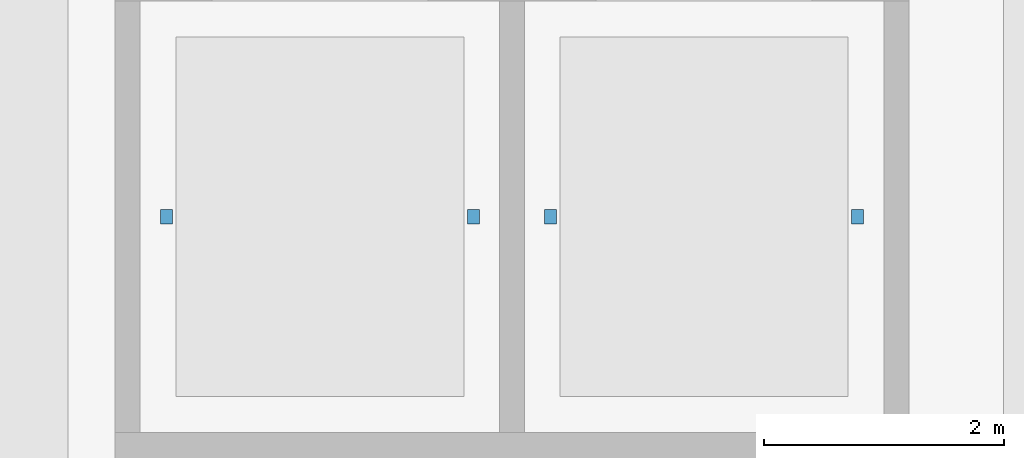
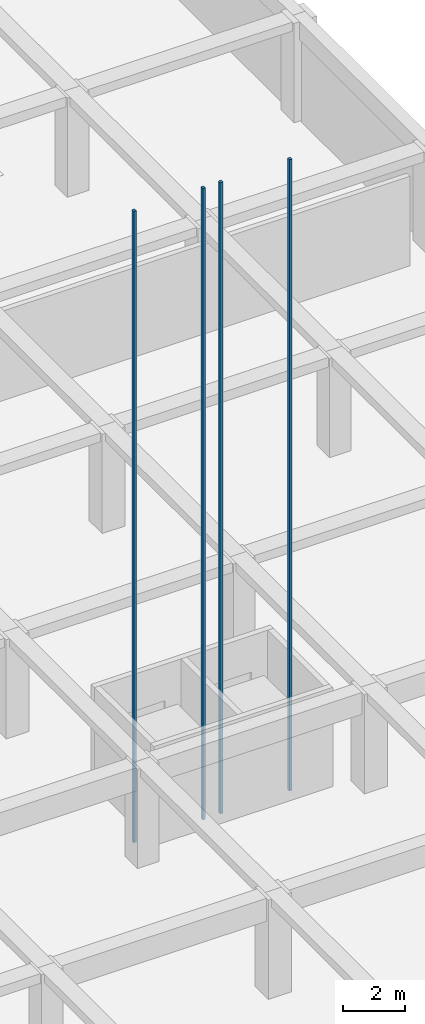
# One storey, part 22 of 32: 4 discrete accessories.
"""IFC4 building model written with IfcOpenShell, lengths in metres."""

from ifc_helpers import new_model, si_unit, direction, frame, origin, origin_2d, place, context, subcontext, project, spatial, rectangle, extrude, material, layer, layer_set, type_object, element, save


model = new_model("IFC4")

# Units and contexts
model_context = context("Model", 3, precision=1e-05, world=origin(), true_north=direction((0.0, 1.0)))
body_context = subcontext(model_context, "Body", "Model", "MODEL_VIEW")
ifc_project = project(units=[si_unit("LENGTHUNIT", "METRE"), si_unit("AREAUNIT", "SQUARE_METRE"), si_unit("VOLUMEUNIT", "CUBIC_METRE"), si_unit("PLANEANGLEUNIT", "RADIAN"), si_unit("MASSUNIT", "GRAM", prefix="KILO")], contexts=[model_context])

# Site, building, storey
site_placement = place(None, origin())
site = spatial("IfcSite", under=ifc_project, at=site_placement, CompositionType="ELEMENT")
building_placement = place(site_placement, origin())
building = spatial("IfcBuilding", under=site, at=building_placement, Name="Almacenes y Pasaje Nevantli", CompositionType="ELEMENT")
storey_placement = place(building_placement, frame((0.0, 0.0, -4.199951171875)))
storey = spatial("IfcBuildingStorey", under=building, at=storey_placement, Name="B01", CompositionType="ELEMENT", Elevation=-4.199951171875)

# Discrete accessories
ifc_material = material(Name="Steel ASTM A36", Category="steel")
ifc_layer = layer(ifc_material, 0.1201171875)
ifc_layer_set = layer_set([ifc_layer], Name="Steel ASTM A36")
discrete_accessory_type = type_object("IfcDiscreteAccessoryType", Name="ACC-LIFT-RAIL", PredefinedType="BRACKET", material=ifc_layer_set)
for number, where, z_axis, x_axis, name in (
    (1, (143.919921875, 19.25, -1.2001953125), (0.0, 0.0, 1.0), (1.0, 0.0, 0.0), "Elevator Steel T-Section Guide Rail ELV-G01-W"),
    (2, (146.47998046875, 19.25, -1.2001953125), (0.0, 0.0, 1.0), (1.0, 0.0, 0.0), "Elevator Steel T-Section Guide Rail ELV-G01-E"),
    (3, (147.1201171875, 19.25, -1.2001953125), (0.0, 0.0, 1.0), (1.0, 0.0, 0.0), "Elevator Steel T-Section Guide Rail ELV-G02-W"),
    (4, (149.679931640625, 19.25, -1.2001953125), (0.0, 0.0, 1.0), (1.0, 0.0, 0.0), "Elevator Steel T-Section Guide Rail ELV-G02-E"),
):
    element("IfcDiscreteAccessory", number, at=place(storey_placement, frame(where, z_axis=z_axis, x_axis=x_axis)), inside=storey, type_object=discrete_accessory_type, Name=name, PredefinedType="BRACKET", context=body_context, shape_type="SweptSolid", body=[
        extrude(rectangle(XDim=0.10009765625, YDim=0.1201171875, at=origin_2d()), origin(), (0.0, 0.0, 1.0), 24.699951171875),
    ])

save(model, "model.ifc")
